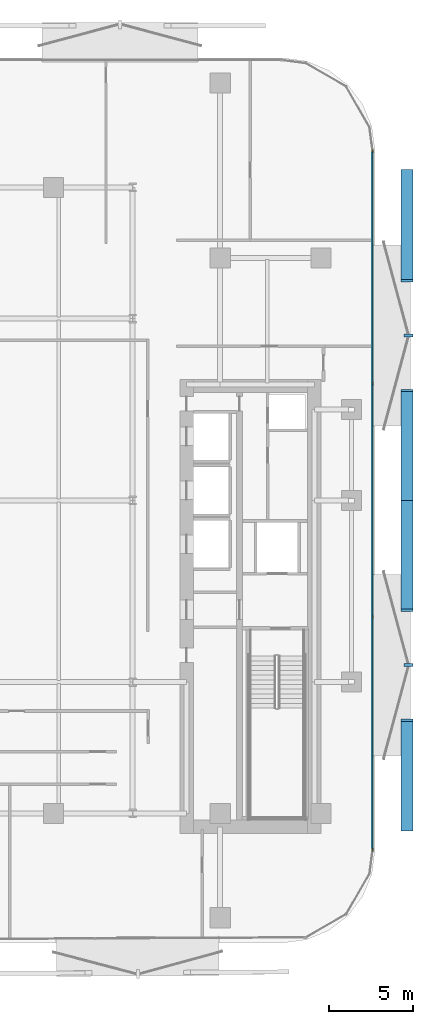
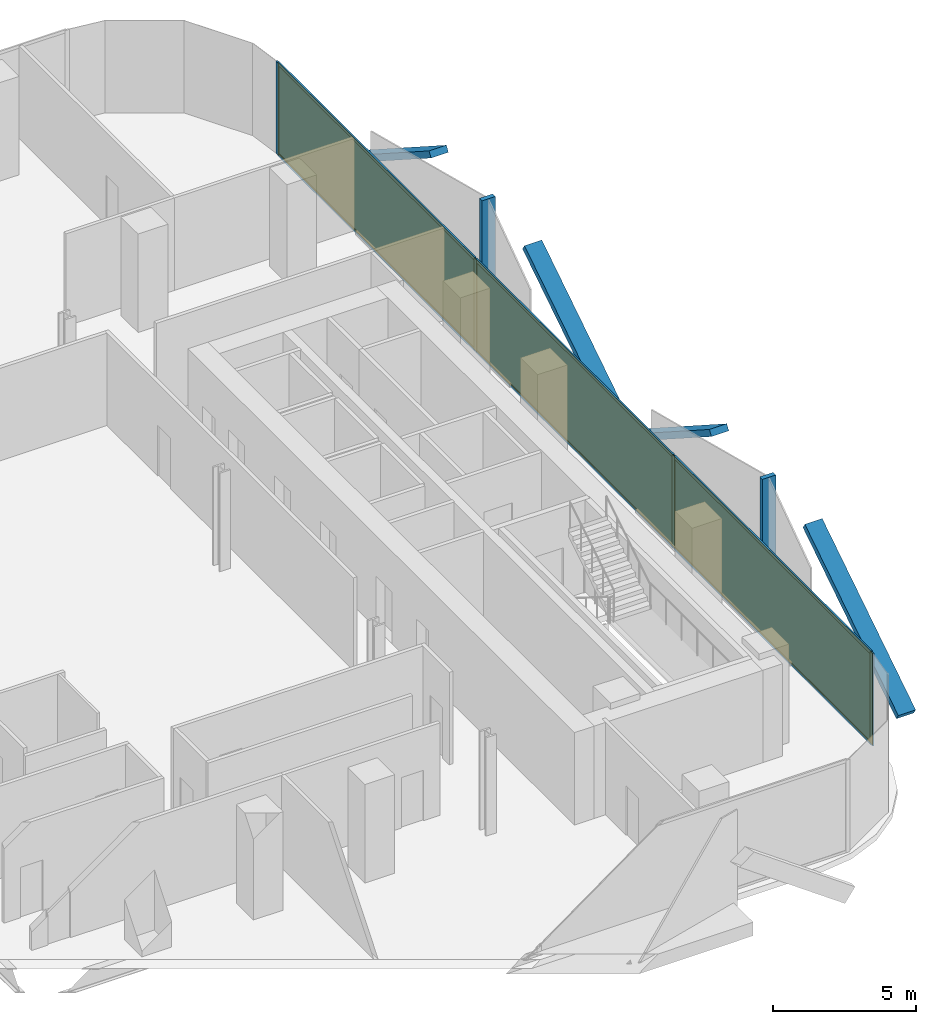
# One storey, part 9 of 15: 16 members, 3 plates, 1 curtain wall.
"""IFC4 building model written with IfcOpenShell, lengths in metres."""

from ifc_helpers import new_model, si_unit, direction, frame, frame_2d, origin, origin_2d, place, context, subcontext, project, spatial, rectangle, extrude, material, layer, layer_set, material_profile, profile_set, type_object, element, aggregate, save


model = new_model("IFC4")

# Units and contexts
model_context = context("Model", 3, precision=1e-05, world=origin(), true_north=direction((0.0, 1.0)))
body_context = subcontext(model_context, "Body", "Model", "MODEL_VIEW")
ifc_project = project(units=[si_unit("LENGTHUNIT", "METRE"), si_unit("AREAUNIT", "SQUARE_METRE"), si_unit("VOLUMEUNIT", "CUBIC_METRE"), si_unit("PLANEANGLEUNIT", "RADIAN"), si_unit("MASSUNIT", "GRAM", prefix="KILO")], contexts=[model_context])

# Member
ifc_material_1 = material(Name="Anodised Bronze Aluminium 6063-T6", Category="aluminium")
ifc_material_profile_1 = material_profile(ifc_material_1, rectangle(XDim=0.260009765625, YDim=0.699951171875, at=origin_2d()))
ifc_profile_set_1 = profile_set([ifc_material_profile_1], Name="Anodised Bronze Aluminium 6063-T6")
member_type_1 = type_object("IfcMemberType", Name="Bronze Diamond Solar-Screen Lattice Rib BDL-700", PredefinedType="MULLION", material=ifc_profile_set_1)
site_placement = place(None, origin())
building_placement = place(site_placement, origin())
storey_placement = place(building_placement, frame((0.0, 0.0, 118.39990234375)))
member_1_placement = place(storey_placement, frame((25.5, 19.5908203125, -0.1298828125), z_axis=(0.0, -0.841066075866, 0.540932395062), x_axis=(0.0, -0.540932395062, -0.841066075866)))
member_1 = element("IfcMember", 1, at=member_1_placement, type_object=member_type_1, Name="L27 Bronze Diamond Solar Screen Lattice Rib 167A", PredefinedType="MULLION", context=body_context, shape_type="SweptSolid", body=[
    extrude(rectangle(XDim=0.260009765625, YDim=0.699951171875, at=origin_2d()), origin(), (0.0, 0.0, 1.0), 7.76416015625),
])

member_2_placement = place(storey_placement, frame((25.5, 0.0, -0.1298828125), z_axis=(0.0, 0.841066075866, 0.540932395062), x_axis=(0.0, 0.540932395062, -0.841066075866)))
member_2 = element("IfcMember", 2, at=member_2_placement, type_object=member_type_1, Name="L27 Bronze Diamond Solar Screen Lattice Rib 167B", PredefinedType="MULLION", context=body_context, shape_type="SweptSolid", body=[
    extrude(rectangle(XDim=0.260009765625, YDim=0.699951171875, at=origin_2d()), origin(), (0.0, 0.0, 1.0), 7.76416015625),
])

member_3_placement = place(storey_placement, frame((25.5, 0.0, -0.1298828125), z_axis=(0.0, -0.841066075866, 0.540932395062), x_axis=(0.0, -0.540932395062, -0.841066075866)))
member_3 = element("IfcMember", 3, at=member_3_placement, type_object=member_type_1, Name="L27 Bronze Diamond Solar Screen Lattice Rib 168A", PredefinedType="MULLION", context=body_context, shape_type="SweptSolid", body=[
    extrude(rectangle(XDim=0.260009765625, YDim=0.699951171875, at=origin_2d()), origin(), (0.0, 0.0, 1.0), 7.76416015625),
])

member_4_placement = place(storey_placement, frame((25.5, -19.5908203125, -0.1298828125), z_axis=(0.0, 0.841066075866, 0.540932395062), x_axis=(0.0, 0.540932395062, -0.841066075866)))
member_4 = element("IfcMember", 4, at=member_4_placement, type_object=member_type_1, Name="L27 Bronze Diamond Solar Screen Lattice Rib 168B", PredefinedType="MULLION", context=body_context, shape_type="SweptSolid", body=[
    extrude(rectangle(XDim=0.260009765625, YDim=0.699951171875, at=origin_2d()), origin(), (0.0, 0.0, 1.0), 7.76416015625),
])

ifc_material_2 = material(Name="Anodised Bronze Aluminium 6063-T6", Category="aluminium")
ifc_material_profile_2 = material_profile(ifc_material_2, rectangle(XDim=0.179931640625, YDim=0.5400390625, at=origin_2d()))
ifc_profile_set_2 = profile_set([ifc_material_profile_2], Name="Anodised Bronze Aluminium 6063-T6")
member_type_2 = type_object("IfcMemberType", Name="Bronze Solar-Screen Vertical Fold Fin BSF-540", PredefinedType="MULLION", material=ifc_profile_set_2)
member_5_placement = place(storey_placement, frame((25.580078125, 9.79541015625, -0.1298828125), z_axis=(0.0, 0.0, 1.0), x_axis=(0.0, -1.0, 0.0)))
member_5 = element("IfcMember", 5, at=member_5_placement, type_object=member_type_2, Name="L27 Bronze Solar Screen Vertical Fin 167", PredefinedType="MULLION", context=body_context, shape_type="SweptSolid", body=[
    extrude(rectangle(XDim=0.179931640625, YDim=0.5400390625, at=origin_2d()), origin(), (0.0, 0.0, 1.0), 4.199951171875),
])

member_6_placement = place(storey_placement, frame((25.580078125, -9.79541015625, -0.1298828125), z_axis=(0.0, 0.0, 1.0), x_axis=(0.0, -1.0, 0.0)))
member_6 = element("IfcMember", 6, at=member_6_placement, type_object=member_type_2, Name="L27 Bronze Solar Screen Vertical Fin 168", PredefinedType="MULLION", context=body_context, shape_type="SweptSolid", body=[
    extrude(rectangle(XDim=0.179931640625, YDim=0.5400390625, at=origin_2d()), origin(), (0.0, 0.0, 1.0), 4.199951171875),
])

ifc_material_3 = material(Name="Anodised Bronze Aluminium 6063-T6", Category="aluminium")
ifc_material_profile_3 = material_profile(ifc_material_3, rectangle(XDim=0.06494140625, YDim=0.175048828125, at=origin_2d()))
ifc_profile_set_3 = profile_set([ifc_material_profile_3], Name="Anodised Bronze Aluminium 6063-T6")
member_type_3 = type_object("IfcMemberType", Name="CW-Z2 Mullion 65x175", PredefinedType="MULLION", material=ifc_profile_set_3)
member_7_placement = place(storey_placement, frame((23.4599609375, 20.75830078125, 0.0), z_axis=(0.0, 0.0, 1.0), x_axis=(1.0, 0.0, 0.0)))
member_7 = element("IfcMember", 7, at=member_7_placement, type_object=member_type_3, Name="CW-Z2 mullion 1", PredefinedType="MULLION", context=body_context, shape_type="SweptSolid", body=[
    extrude(rectangle(XDim=0.06494140625, YDim=0.175048828125, at=origin_2d()), origin(), (0.0, 0.0, 1.0), 3.940185546875),
])

member_8_placement = place(storey_placement, frame((23.4599609375, 6.93017578125, 0.0), z_axis=(0.0, 0.0, 1.0), x_axis=(1.0, 0.0, 0.0)))
member_8 = element("IfcMember", 8, at=member_8_placement, type_object=member_type_3, Name="CW-Z2 mullion 2", PredefinedType="MULLION", context=body_context, shape_type="SweptSolid", body=[
    extrude(rectangle(XDim=0.06494140625, YDim=0.175048828125, at=origin_2d()), origin(), (0.0, 0.0, 1.0), 3.940185546875),
])

member_9_placement = place(storey_placement, frame((23.4599609375, -6.93017578125, 0.0), z_axis=(0.0, 0.0, 1.0), x_axis=(1.0, 0.0, 0.0)))
member_9 = element("IfcMember", 9, at=member_9_placement, type_object=member_type_3, Name="CW-Z2 mullion 3", PredefinedType="MULLION", context=body_context, shape_type="SweptSolid", body=[
    extrude(rectangle(XDim=0.06494140625, YDim=0.175048828125, at=origin_2d()), origin(), (0.0, 0.0, 1.0), 3.940185546875),
])

member_10_placement = place(storey_placement, frame((23.4599609375, -20.75830078125, 0.0), z_axis=(0.0, 0.0, 1.0), x_axis=(1.0, 0.0, 0.0)))
member_10 = element("IfcMember", 10, at=member_10_placement, type_object=member_type_3, Name="CW-Z2 mullion 4", PredefinedType="MULLION", context=body_context, shape_type="SweptSolid", body=[
    extrude(rectangle(XDim=0.06494140625, YDim=0.175048828125, at=origin_2d()), origin(), (0.0, 0.0, 1.0), 3.940185546875),
])

ifc_material_4 = material(Name="Anodised Bronze Aluminium 6063-T6", Category="aluminium")
ifc_material_profile_4 = material_profile(ifc_material_4, rectangle(XDim=0.06494140625, YDim=0.135009765625, at=origin_2d()))
ifc_profile_set_4 = profile_set([ifc_material_profile_4], Name="Anodised Bronze Aluminium 6063-T6")
member_type_4 = type_object("IfcMemberType", Name="CW-Z2 Transom 65x135", PredefinedType="USERDEFINED", material=ifc_profile_set_4)
member_11_placement = place(storey_placement, frame((23.4599609375, 20.725830078125, 0.03271484375), z_axis=(0.0, -1.0, 0.0), x_axis=(1.0, 0.0, 0.0)))
member_11 = element("IfcMember", 11, at=member_11_placement, type_object=member_type_4, Name="CW-Z2 transom 1.1", ObjectType="TRANSOM", PredefinedType="USERDEFINED", context=body_context, shape_type="SweptSolid", body=[
    extrude(rectangle(XDim=0.06494140625, YDim=0.135009765625, at=origin_2d()), origin(), (0.0, 0.0, 1.0), 13.76318359375),
])

member_12_placement = place(storey_placement, frame((23.4599609375, 20.725830078125, 3.90771484375), z_axis=(0.0, -1.0, 0.0), x_axis=(1.0, 0.0, 0.0)))
member_12 = element("IfcMember", 12, at=member_12_placement, type_object=member_type_4, Name="CW-Z2 transom 1.2", ObjectType="TRANSOM", PredefinedType="USERDEFINED", context=body_context, shape_type="SweptSolid", body=[
    extrude(rectangle(XDim=0.06494140625, YDim=0.135009765625, at=origin_2d()), origin(), (0.0, 0.0, 1.0), 13.76318359375),
])

member_13_placement = place(storey_placement, frame((23.4599609375, 6.897705078125, 0.03271484375), z_axis=(0.0, -1.0, 0.0), x_axis=(1.0, 0.0, 0.0)))
member_13 = element("IfcMember", 13, at=member_13_placement, type_object=member_type_4, Name="CW-Z2 transom 2.1", ObjectType="TRANSOM", PredefinedType="USERDEFINED", context=body_context, shape_type="SweptSolid", body=[
    extrude(rectangle(XDim=0.06494140625, YDim=0.135009765625, at=origin_2d()), origin(), (0.0, 0.0, 1.0), 13.79541015625),
])

member_14_placement = place(storey_placement, frame((23.4599609375, 6.897705078125, 3.90771484375), z_axis=(0.0, -1.0, 0.0), x_axis=(1.0, 0.0, 0.0)))
member_14 = element("IfcMember", 14, at=member_14_placement, type_object=member_type_4, Name="CW-Z2 transom 2.2", ObjectType="TRANSOM", PredefinedType="USERDEFINED", context=body_context, shape_type="SweptSolid", body=[
    extrude(rectangle(XDim=0.06494140625, YDim=0.135009765625, at=origin_2d()), origin(), (0.0, 0.0, 1.0), 13.79541015625),
])

member_15_placement = place(storey_placement, frame((23.4599609375, -6.962646484375, 0.03271484375), z_axis=(0.0, -1.0, 0.0), x_axis=(1.0, 0.0, 0.0)))
member_15 = element("IfcMember", 15, at=member_15_placement, type_object=member_type_4, Name="CW-Z2 transom 3.1", ObjectType="TRANSOM", PredefinedType="USERDEFINED", context=body_context, shape_type="SweptSolid", body=[
    extrude(rectangle(XDim=0.06494140625, YDim=0.135009765625, at=origin_2d()), origin(), (0.0, 0.0, 1.0), 13.76318359375),
])

member_16_placement = place(storey_placement, frame((23.4599609375, -6.962646484375, 3.90771484375), z_axis=(0.0, -1.0, 0.0), x_axis=(1.0, 0.0, 0.0)))
member_16 = element("IfcMember", 16, at=member_16_placement, type_object=member_type_4, Name="CW-Z2 transom 3.2", ObjectType="TRANSOM", PredefinedType="USERDEFINED", context=body_context, shape_type="SweptSolid", body=[
    extrude(rectangle(XDim=0.06494140625, YDim=0.135009765625, at=origin_2d()), origin(), (0.0, 0.0, 1.0), 13.76318359375),
])

# Plate
ifc_material_5 = material(Name="Low-E Solar Control Laminated Glass", Category="glass")
ifc_layer_1 = layer(ifc_material_5, 0.028076171875, Name="Low-E Solar Control Laminated Glass")
ifc_layer_set_1 = layer_set([ifc_layer_1], Name="Low-E Solar Control Laminated Glass")
plate_type = type_object("IfcPlateType", Name="CW-Z2 Low-E Double Glazed Panel 28mm", PredefinedType="CURTAIN_PANEL", material=ifc_layer_set_1)
plate_1_placement = place(storey_placement, frame((23.4599609375, 13.84423828125, 0.065185546875), z_axis=(0.0, 0.0, 1.0), x_axis=(0.0, -1.0, 0.0)))
plate_1 = element("IfcPlate", 17, at=plate_1_placement, type_object=plate_type, Name="CW-Z2 panel 1.1", PredefinedType="CURTAIN_PANEL", context=body_context, shape_type="SweptSolid", body=[
    extrude(rectangle(XDim=13.762939453125, YDim=0.028076171875, at=origin_2d()), origin(), (0.0, 0.0, 1.0), 3.81005859375),
])

plate_2_placement = place(storey_placement, frame((23.4599609375, 0.0, 0.065185546875), z_axis=(0.0, 0.0, 1.0), x_axis=(0.0, -1.0, 0.0)))
plate_2 = element("IfcPlate", 18, at=plate_2_placement, type_object=plate_type, Name="CW-Z2 panel 2.1", PredefinedType="CURTAIN_PANEL", context=body_context, shape_type="SweptSolid", body=[
    extrude(rectangle(XDim=13.795654296875, YDim=0.028076171875, at=origin_2d()), origin(), (0.0, 0.0, 1.0), 3.81005859375),
])

plate_3_placement = place(storey_placement, frame((23.4599609375, -13.84423828125, 0.065185546875), z_axis=(0.0, 0.0, 1.0), x_axis=(0.0, -1.0, 0.0)))
plate_3 = element("IfcPlate", 19, at=plate_3_placement, type_object=plate_type, Name="CW-Z2 panel 3.1", PredefinedType="CURTAIN_PANEL", context=body_context, shape_type="SweptSolid", body=[
    extrude(rectangle(XDim=13.762939453125, YDim=0.028076171875, at=origin_2d()), origin(), (0.0, 0.0, 1.0), 3.81005859375),
])

# Site, building, storey
site = spatial("IfcSite", under=ifc_project, at=site_placement, CompositionType="ELEMENT")
building = spatial("IfcBuilding", under=site, at=building_placement, Name="Khairoan Windgate Tower", CompositionType="ELEMENT")
storey = spatial("IfcBuildingStorey", under=building, at=storey_placement, Name="L27", CompositionType="ELEMENT", Elevation=118.39990234375)

# Curtain wall
ifc_material_6 = material(Name="Anodised Bronze Aluminium 6063-T6", Category="aluminium")
ifc_layer_2 = layer(ifc_material_6, 0.175048828125, Name="Anodised Bronze Aluminium 6063-T6")
ifc_layer_set_2 = layer_set([ifc_layer_2], Name="Anodised Bronze Aluminium 6063-T6")
curtain_wall_type = type_object("IfcCurtainWallType", Name="Mid-Rise Office Unitised Curtain Wall CW-Z2", PredefinedType="NOTDEFINED", material=ifc_layer_set_2)
curtain_wall_placement = place(storey_placement, frame((23.4599609375, 20.790771484375, 0.0), z_axis=(0.0, 0.0, 1.0), x_axis=(0.0, -1.0, 0.0)))
curtain_wall = element("IfcCurtainWall", 20, at=curtain_wall_placement, inside=storey, type_object=curtain_wall_type, Name="L27 Unitised Curtain Wall 16", PredefinedType="NOTDEFINED", context=body_context, shape_type="SweptSolid", body=[
    extrude(rectangle(XDim=41.58154296875, YDim=0.010009765625, at=frame_2d((20.790771484375, 0.0))), origin(), (0.0, 0.0, 1.0), 3.940185546875),
])

aggregate(curtain_wall, [member_7, member_8, member_9, member_10, member_11, member_12, plate_1, member_13, member_14, plate_2, member_15, member_16, plate_3, member_1, member_2, member_5, member_3, member_4, member_6])

save(model, "model.ifc")
